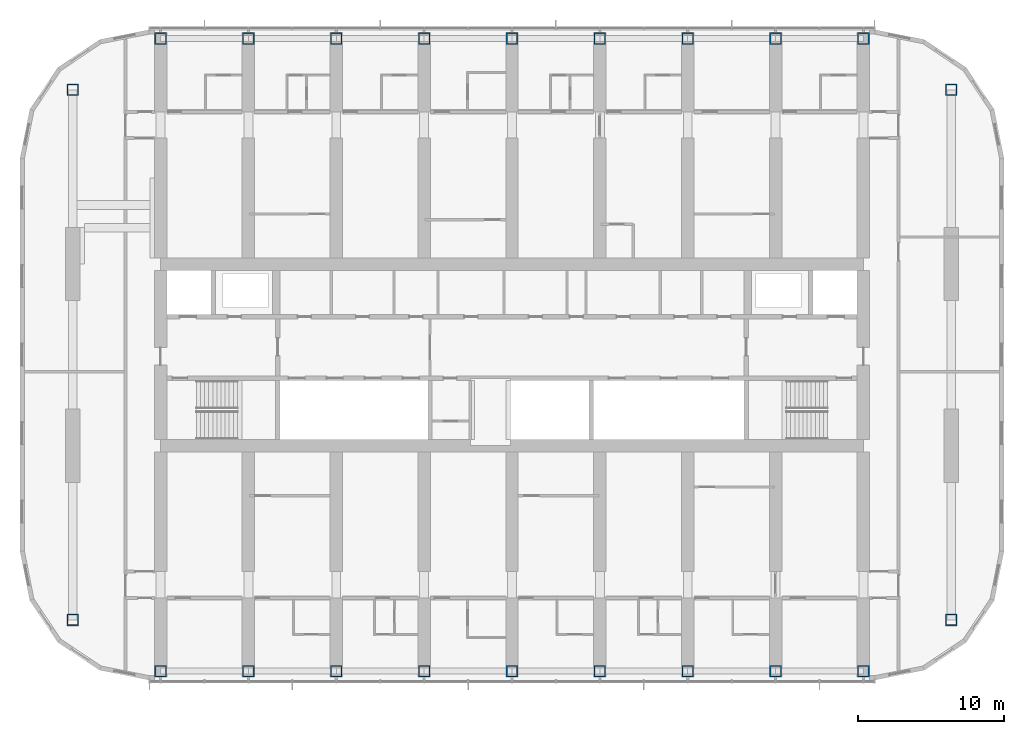
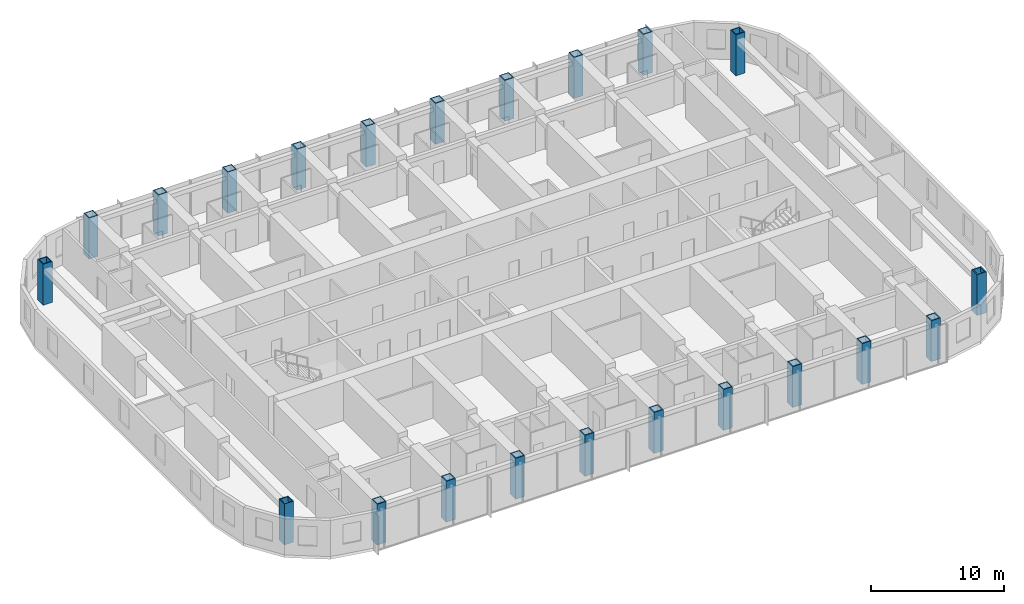
# One storey, part 1 of 22: 22 columns.
"""IFC4 building model written with IfcOpenShell, lengths in metres."""

from ifc_helpers import new_model, si_unit, direction, frame, origin, origin_2d, place, context, subcontext, project, spatial, hollow_rectangle, extrude, material, material_profile, profile_set, type_object, element, save


model = new_model("IFC4")

# Units and contexts
model_context = context("Model", 3, precision=1e-05, world=origin(), true_north=direction((0.0, 1.0)))
body_context = subcontext(model_context, "Body", "Model", "MODEL_VIEW")
ifc_project = project(units=[si_unit("LENGTHUNIT", "METRE"), si_unit("AREAUNIT", "SQUARE_METRE"), si_unit("VOLUMEUNIT", "CUBIC_METRE"), si_unit("PLANEANGLEUNIT", "RADIAN"), si_unit("MASSUNIT", "GRAM", prefix="KILO")], contexts=[model_context])

# Site, building, storey
site_placement = place(None, origin())
site = spatial("IfcSite", under=ifc_project, at=site_placement, CompositionType="ELEMENT")
building_placement = place(site_placement, origin())
building = spatial("IfcBuilding", under=site, at=building_placement, Name="Orbita Commons", CompositionType="ELEMENT")
storey_placement = place(building_placement, frame((0.0, 0.0, 144.85009765625)))
storey = spatial("IfcBuildingStorey", under=building, at=storey_placement, Name="L35", CompositionType="ELEMENT", Elevation=144.85009765625)

# Columns
ifc_material = material(Name="Steel ASTM A572 Gr 50 welded plate", Category="steel")
ifc_material_profile = material_profile(ifc_material, hollow_rectangle(XDim=0.800048828125, YDim=0.800048828125, WallThickness=0.080078125, at=origin_2d()), Name="BOX 800x800x80")
ifc_profile_set = profile_set([ifc_material_profile], Name="Steel ASTM A572 Gr 50 welded plate")
column_type = type_object("IfcColumnType", Name="Steel column BOX 800x800x80", PredefinedType="COLUMN", material=ifc_profile_set)
for number, where, z_axis, x_axis, name in (
    (1, (18.0, 10.39990234375, 0.0), (0.0, 0.0, 1.0), (1.0, 0.0, 0.0), "Column 4/B L35"),
    (2, (18.0, 53.60009765625, 0.0), (0.0, 0.0, 1.0), (1.0, 0.0, 0.0), "Column 4/E L35"),
    (3, (24.0, 10.39990234375, 0.0), (0.0, 0.0, 1.0), (1.0, 0.0, 0.0), "Column 5/B L35"),
    (4, (24.0, 53.60009765625, 0.0), (0.0, 0.0, 1.0), (1.0, 0.0, 0.0), "Column 5/E L35"),
    (5, (30.0, 10.39990234375, 0.0), (0.0, 0.0, 1.0), (1.0, 0.0, 0.0), "Column 6/B L35"),
    (6, (30.0, 53.60009765625, 0.0), (0.0, 0.0, 1.0), (1.0, 0.0, 0.0), "Column 6/E L35"),
    (7, (36.0, 10.39990234375, 0.0), (0.0, 0.0, 1.0), (1.0, 0.0, 0.0), "Column 7/B L35"),
    (8, (36.0, 53.60009765625, 0.0), (0.0, 0.0, 1.0), (1.0, 0.0, 0.0), "Column 7/E L35"),
    (9, (42.0, 10.39990234375, 0.0), (0.0, 0.0, 1.0), (1.0, 0.0, 0.0), "Column 8/B L35"),
    (10, (42.0, 53.60009765625, 0.0), (0.0, 0.0, 1.0), (1.0, 0.0, 0.0), "Column 8/E L35"),
    (11, (48.0, 10.39990234375, 0.0), (0.0, 0.0, 1.0), (1.0, 0.0, 0.0), "Column 9/B L35"),
    (12, (48.0, 53.60009765625, 0.0), (0.0, 0.0, 1.0), (1.0, 0.0, 0.0), "Column 9/E L35"),
    (13, (54.0, 10.39990234375, 0.0), (0.0, 0.0, 1.0), (1.0, 0.0, 0.0), "Column 10/B L35"),
    (14, (54.0, 53.60009765625, 0.0), (0.0, 0.0, 1.0), (1.0, 0.0, 0.0), "Column 10/E L35"),
    (15, (60.0, 10.39990234375, 0.0), (0.0, 0.0, 1.0), (1.0, 0.0, 0.0), "Column 11/B L35"),
    (16, (60.0, 53.60009765625, 0.0), (0.0, 0.0, 1.0), (1.0, 0.0, 0.0), "Column 11/E L35"),
    (17, (66.0, 10.39990234375, 0.0), (0.0, 0.0, 1.0), (1.0, 0.0, 0.0), "Column 12/B L35"),
    (18, (66.0, 53.60009765625, 0.0), (0.0, 0.0, 1.0), (1.0, 0.0, 0.0), "Column 12/E L35"),
    (19, (12.0, 13.89990234375, 0.0), (0.0, 0.0, 1.0), (1.0, 0.0, 0.0), "Column 3/13.9 L35"),
    (20, (12.0, 50.10009765625, 0.0), (0.0, 0.0, 1.0), (1.0, 0.0, 0.0), "Column 3/50.1 L35"),
    (21, (72.0, 13.89990234375, 0.0), (0.0, 0.0, 1.0), (1.0, 0.0, 0.0), "Column 13/13.9 L35"),
    (22, (72.0, 50.10009765625, 0.0), (0.0, 0.0, 1.0), (1.0, 0.0, 0.0), "Column 13/50.1 L35"),
):
    element("IfcColumn", number, at=place(storey_placement, frame(where, z_axis=z_axis, x_axis=x_axis)), inside=storey, type_object=column_type, Name=name, PredefinedType="COLUMN", context=body_context, shape_type="SweptSolid", body=[
        extrude(hollow_rectangle(XDim=0.800048828125, YDim=0.800048828125, WallThickness=0.080078125, at=origin_2d()), origin(), (0.0, 0.0, 1.0), 3.75),
    ])

save(model, "model.ifc")
